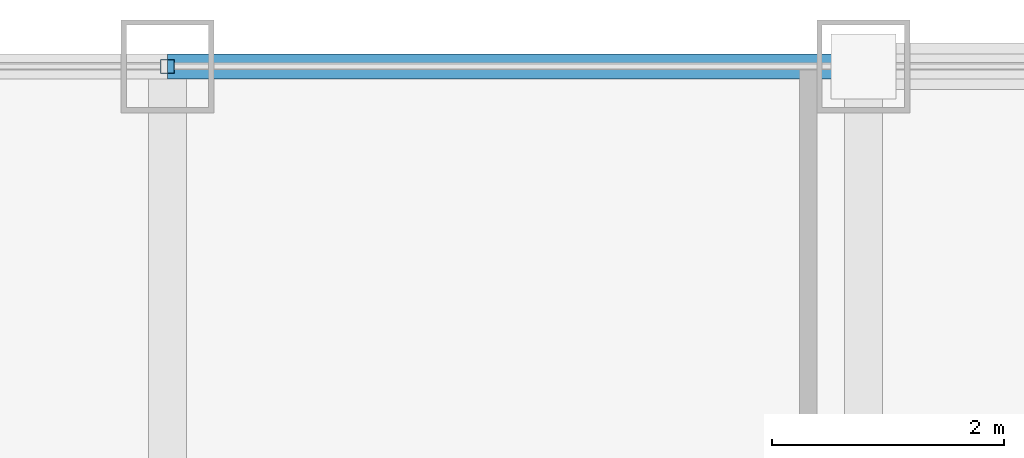
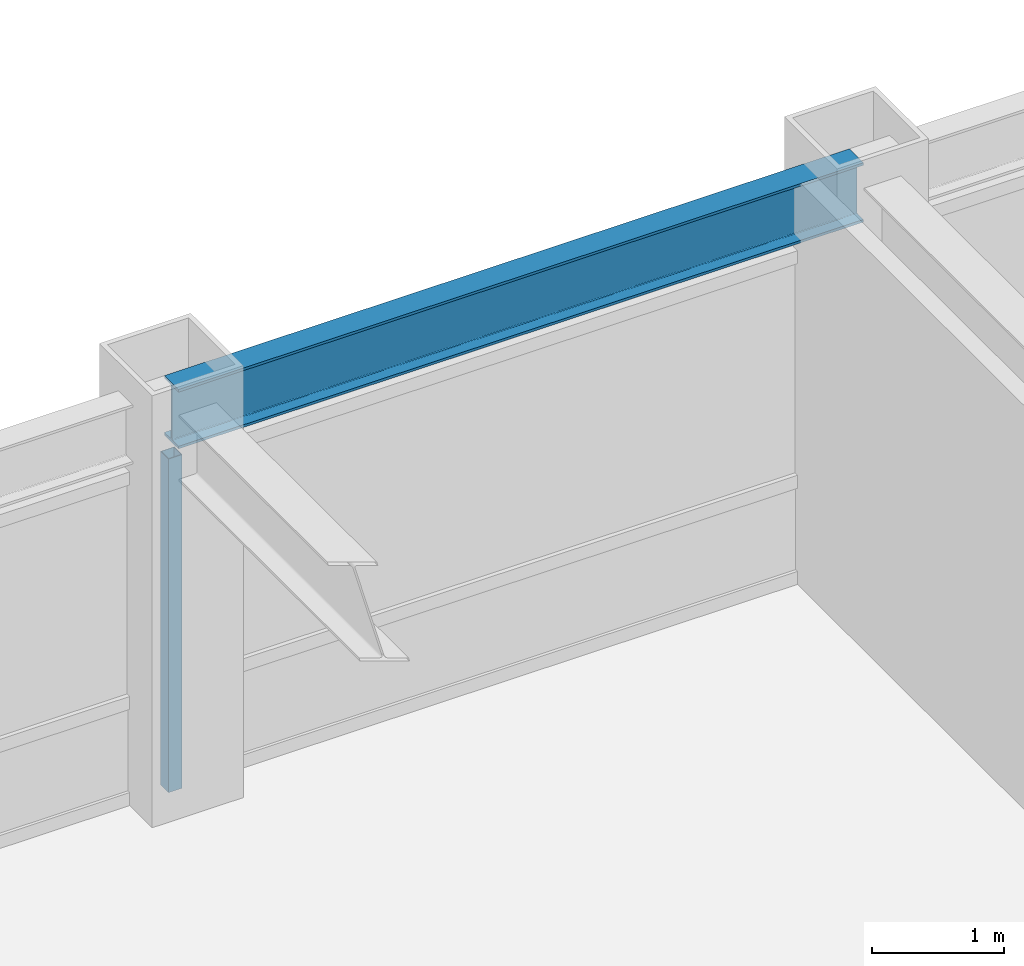
# One storey, part 18 of 28: 1 beam, 1 member, 1 element without a shape of its own.
"""IFC4 building model written with IfcOpenShell, lengths in metres."""

from ifc_helpers import new_model, si_unit, direction, frame, origin, origin_2d, place, context, subcontext, project, spatial, hollow_rectangle, i_section, extrude, source, transform, mapped, material, material_profile, profile_set, type_object, element, aggregate, save


model = new_model("IFC4")

# Units and contexts
model_context = context("Model", 3, precision=1e-05, world=origin(), true_north=direction((0.0, 1.0)))
body_context = subcontext(model_context, "Body", "Model", "MODEL_VIEW")
ifc_project = project(units=[si_unit("LENGTHUNIT", "METRE"), si_unit("AREAUNIT", "SQUARE_METRE"), si_unit("VOLUMEUNIT", "CUBIC_METRE"), si_unit("PLANEANGLEUNIT", "RADIAN"), si_unit("MASSUNIT", "GRAM", prefix="KILO")], contexts=[model_context])

# Site, building, storey
site_placement = place(None, origin())
site = spatial("IfcSite", under=ifc_project, at=site_placement, CompositionType="ELEMENT")
building_placement = place(site_placement, origin())
building = spatial("IfcBuilding", under=site, at=building_placement, Name="Khorayat Bourse Tower", CompositionType="ELEMENT")
storey_placement = place(building_placement, frame((0.0, 0.0, 330.300048828125)))
storey = spatial("IfcBuildingStorey", under=building, at=storey_placement, Name="L78", CompositionType="ELEMENT", Elevation=330.300048828125)

# Beam
ifc_material_1 = material(Name="Steel ASTM A992 Grade 50", Category="steel")
ifc_material_profile_1 = material_profile(ifc_material_1, i_section(OverallWidth=0.214111328125, OverallDepth=0.549072265625, WebThickness=0.0146484375, FlangeThickness=0.023681640625, FilletRadius=0.013916015625, at=origin_2d()), Name="W530X138")
ifc_profile_set_1 = profile_set([ifc_material_profile_1], Name="Steel ASTM A992 Grade 50")
beam_type = type_object("IfcBeamType", Name="BM-SPAN-530", PredefinedType="SPANDREL", material=ifc_profile_set_1)
shared_shape_1 = source(origin(), body_context, "Body", "SweptSolid", [
    extrude(i_section(OverallWidth=0.214111328125, OverallDepth=0.549072265625, WebThickness=0.0146484375, FlangeThickness=0.023681640625, FilletRadius=0.013916015625, at=origin_2d()), origin(), (0.0, 0.0, 1.0), 6.0),
])
beam_placement = place(storey_placement, frame((0.0, 26.0, 3.46533203125), z_axis=(1.0, 0.0, 0.0), x_axis=(0.0, 1.0, 0.0)))
element("IfcBeam", 1, at=beam_placement, inside=storey, type_object=beam_type, Name="L78 BM-SPAN-530 BM-L78-SPN-042", PredefinedType="SPANDREL", context=body_context, shape_type="MappedRepresentation", body=[
    mapped(shared_shape_1, transform((0.0, 0.0, 0.0), scale=1.0)),
])

# Curtain wall, member
ifc_material_2 = material(Name="Aluminium EN AW-6063 T6", Category="aluminium")
curtain_wall_type = type_object("IfcCurtainWallType", Name="CW-SYS-04", PredefinedType="NOTDEFINED", material=ifc_material_2)
curtain_wall_placement = place(storey_placement, origin())
curtain_wall = element("IfcCurtainWall", 2, at=curtain_wall_placement, inside=storey, type_object=curtain_wall_type, Name="L78 Curtain Wall CW-L78-N1", PredefinedType="NOTDEFINED")
ifc_material_profile_2 = material_profile(ifc_material_2, hollow_rectangle(XDim=0.1201171875, YDim=0.1201171875, WallThickness=0.0048828125, at=origin_2d()), Name="ALU 120x120x5")
ifc_profile_set_2 = profile_set([ifc_material_profile_2], Name="Aluminium EN AW-6063 T6")
member_type = type_object("IfcMemberType", Name="CWM-VERT-120", PredefinedType="MULLION", material=ifc_profile_set_2)
shared_shape_2 = source(origin(), body_context, "Body", "SweptSolid", [
    extrude(hollow_rectangle(XDim=0.1201171875, YDim=0.1201171875, WallThickness=0.0048828125, at=origin_2d()), origin(), (0.0, 0.0, 1.0), 3.08984375),
])
member_placement = place(storey_placement, frame((0.0, 26.0, 0.0), z_axis=(0.0, 0.0, 1.0), x_axis=(0.0, 1.0, 0.0)))
member = element("IfcMember", 3, at=member_placement, type_object=member_type, Name="CW-L78-N1 Vertical Mullion 2", PredefinedType="MULLION", context=body_context, shape_type="MappedRepresentation", body=[
    mapped(shared_shape_2, transform((0.0, 0.0, 0.0), scale=1.0)),
])
aggregate(curtain_wall, [member])

save(model, "model.ifc")
